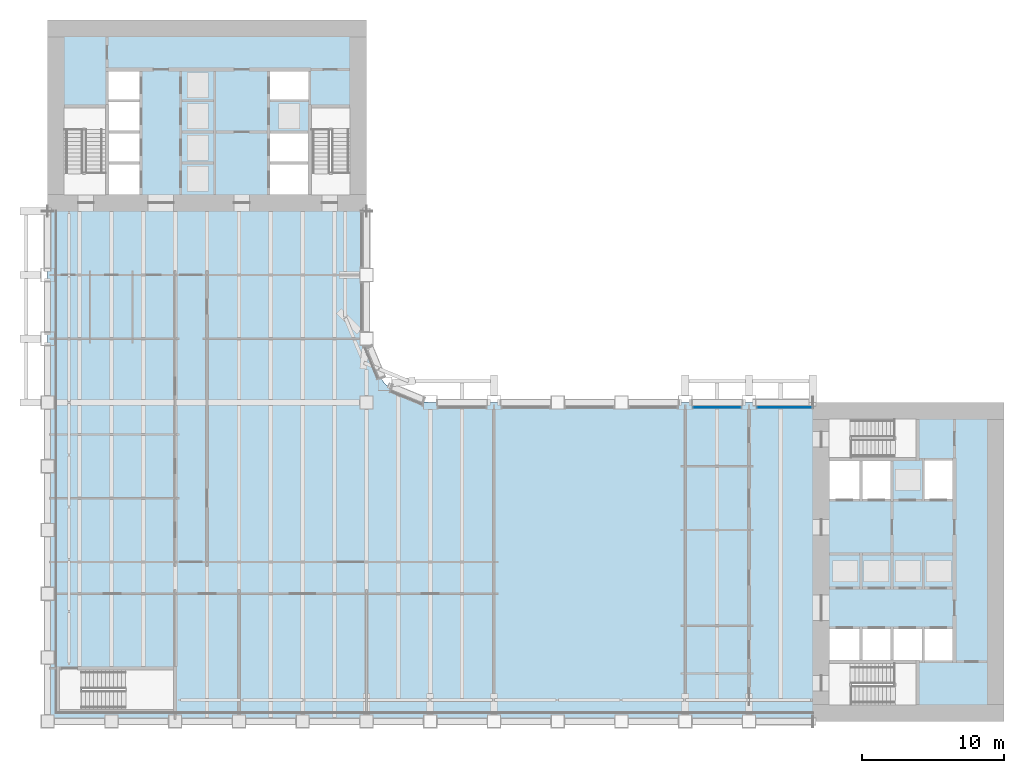
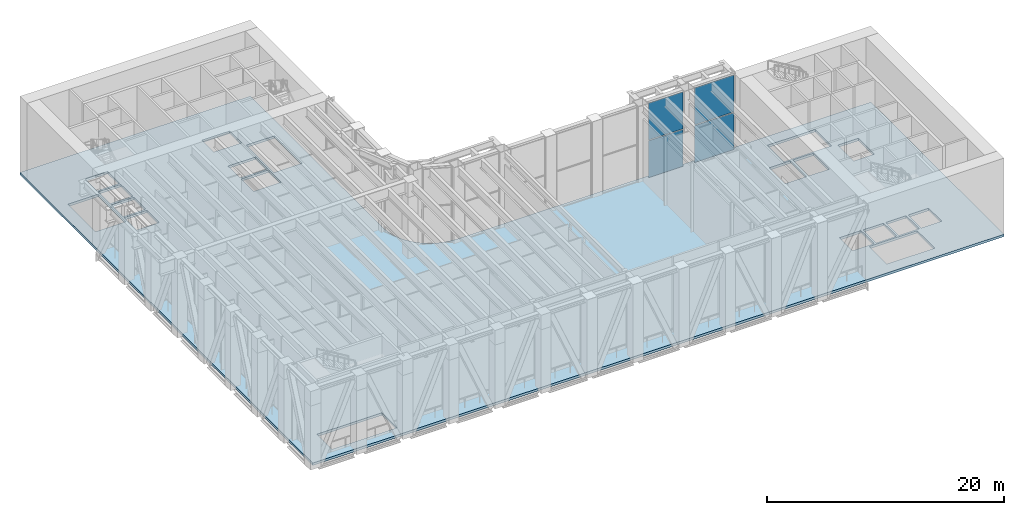
# One storey, part 6 of 21: 4 plates, 1 slab, 2 elements without a shape of their own.
"""IFC4 building model written with IfcOpenShell, lengths in metres."""

from ifc_helpers import new_model, si_unit, direction, frame, origin, origin_2d, place, context, subcontext, project, spatial, polyline, rectangle, outline, extrude, material, layer, layer_set, type_object, element, aggregate, save


model = new_model("IFC4")

# Units and contexts
model_context = context("Model", 3, precision=1e-05, world=origin(), true_north=direction((0.0, 1.0)))
body_context = subcontext(model_context, "Body", "Model", "MODEL_VIEW")
ifc_project = project(units=[si_unit("LENGTHUNIT", "METRE"), si_unit("AREAUNIT", "SQUARE_METRE"), si_unit("VOLUMEUNIT", "CUBIC_METRE"), si_unit("PLANEANGLEUNIT", "RADIAN"), si_unit("MASSUNIT", "GRAM", prefix="KILO")], contexts=[model_context])

# Site, building, storey
site_placement = place(None, origin())
site = spatial("IfcSite", under=ifc_project, at=site_placement, CompositionType="ELEMENT")
building_placement = place(site_placement, origin())
building = spatial("IfcBuilding", under=site, at=building_placement, Name="Sennacour Bend Tower", CompositionType="ELEMENT")
storey_placement = place(building_placement, frame((0.0, 0.0, 131.0)))
storey = spatial("IfcBuildingStorey", under=building, at=storey_placement, Name="L30", CompositionType="ELEMENT", Elevation=131.0)

# Slab
ifc_material_1 = material(Name="Concrete C30/37", Category="concrete")
ifc_layer_1 = layer(ifc_material_1, 0.25, Name="Concrete C30/37", Category="concrete")
ifc_layer_set_1 = layer_set([ifc_layer_1], Name="Concrete C30/37")
slab_type = type_object("IfcSlabType", Name="Floor slab 250", PredefinedType="FLOOR", material=ifc_layer_set_1)
slab_placement = place(storey_placement, frame((0.0, 0.0, -0.25)))
element("IfcSlab", 1, at=slab_placement, inside=storey, type_object=slab_type, Name="Floor slab L30-01", PredefinedType="FLOOR", context=body_context, shape_type="SweptSolid", body=[
    extrude(outline(polyline([(0.0, 36.0), (0.0, 49.5), (22.5, 49.5), (22.5, 36.0), (22.5, 27.0), (22.6533203125, 25.835205078125), (23.102783203125, 24.75), (23.818115234375, 23.818115234375), (24.75, 23.102783203125), (25.835205078125, 22.6533203125), (27.0, 22.5), (54.0, 22.5), (67.5, 22.5), (67.5, 0.0), (54.0, 0.0), (22.5, 0.0), (0.0, 0.0), (0.0, 22.5), (0.0, 36.0)]), holes=[polyline([(8.800048828125, 0.949951171875), (8.800048828125, 3.5), (2.429931640625, 3.5), (2.429931640625, 0.949951171875), (8.800048828125, 0.949951171875)]), polyline([(6.5, 37.199951171875), (6.5, 39.300048828125), (4.300048828125, 39.300048828125), (4.300048828125, 37.199951171875), (6.5, 37.199951171875)]), polyline([(18.39990234375, 37.199951171875), (18.39990234375, 39.300048828125), (15.699951171875, 39.300048828125), (15.699951171875, 37.199951171875), (18.39990234375, 37.199951171875)]), polyline([(6.5, 39.5), (6.5, 41.5), (4.300048828125, 41.5), (4.300048828125, 39.5), (6.5, 39.5)]), polyline([(18.39990234375, 39.5), (18.39990234375, 41.5), (15.699951171875, 41.5), (15.699951171875, 39.5), (18.39990234375, 39.5)]), polyline([(4.125, 38.72998046875), (4.125, 43.39990234375), (1.14990234375, 43.39990234375), (1.14990234375, 38.72998046875), (4.125, 38.72998046875)]), polyline([(21.35009765625, 38.72998046875), (21.35009765625, 43.39990234375), (18.574951171875, 43.39990234375), (18.574951171875, 38.72998046875), (21.35009765625, 38.72998046875)]), polyline([(4.300048828125, 41.699951171875), (6.5, 41.699951171875), (6.5, 43.699951171875), (4.300048828125, 43.699951171875), (4.300048828125, 41.699951171875)]), polyline([(4.300048828125, 43.89990234375), (6.5, 43.89990234375), (6.5, 45.89990234375), (4.300048828125, 45.89990234375), (4.300048828125, 43.89990234375)]), polyline([(18.39990234375, 43.89990234375), (18.39990234375, 45.89990234375), (15.699951171875, 45.89990234375), (15.699951171875, 43.89990234375), (18.39990234375, 43.89990234375)]), polyline([(61.39990234375, 1.14990234375), (61.39990234375, 4.125), (56.72998046875, 4.125), (56.72998046875, 1.14990234375), (61.39990234375, 1.14990234375)]), polyline([(57.300048828125, 4.300048828125), (57.300048828125, 6.5), (55.199951171875, 6.5), (55.199951171875, 4.300048828125), (57.300048828125, 4.300048828125)]), polyline([(57.5, 4.300048828125), (59.5, 4.300048828125), (59.5, 6.5), (57.5, 6.5), (57.5, 4.300048828125)]), polyline([(59.699951171875, 4.300048828125), (61.699951171875, 4.300048828125), (61.699951171875, 6.5), (59.699951171875, 6.5), (59.699951171875, 4.300048828125)]), polyline([(63.89990234375, 4.300048828125), (63.89990234375, 6.5), (61.89990234375, 6.5), (61.89990234375, 4.300048828125), (63.89990234375, 4.300048828125)]), polyline([(57.300048828125, 15.699951171875), (57.300048828125, 18.39990234375), (55.199951171875, 18.39990234375), (55.199951171875, 15.699951171875), (57.300048828125, 15.699951171875)]), polyline([(59.5, 15.699951171875), (59.5, 18.39990234375), (57.5, 18.39990234375), (57.5, 15.699951171875), (59.5, 15.699951171875)]), polyline([(61.89990234375, 15.699951171875), (63.89990234375, 15.699951171875), (63.89990234375, 18.39990234375), (61.89990234375, 18.39990234375), (61.89990234375, 15.699951171875)]), polyline([(56.72998046875, 18.574951171875), (61.39990234375, 18.574951171875), (61.39990234375, 21.35009765625), (56.72998046875, 21.35009765625), (56.72998046875, 18.574951171875)])]), origin(), (0.0, 0.0, 1.0), 0.25),
])

# Curtain wall, plates
ifc_material_2 = material(Name="Bronze anodised aluminium curtain wall with clear glass", Category="aluminium")
curtain_wall_type = type_object("IfcCurtainWallType", Name="CURTAIN WALL GARDEN", PredefinedType="NOTDEFINED", material=ifc_material_2)
curtain_wall_1_placement = place(storey_placement, origin())
curtain_wall_1 = element("IfcCurtainWall", 2, at=curtain_wall_1_placement, inside=storey, type_object=curtain_wall_type, Name="Sky garden glass wall L30", PredefinedType="NOTDEFINED")
ifc_material_3 = material(Name="Laminated clear low-emissivity glass", Category="glass")
ifc_layer_2 = layer(ifc_material_3, 0.035888671875, Name="Laminated clear low-emissivity glass", Category="glass")
ifc_layer_set_2 = layer_set([ifc_layer_2], Name="Laminated clear low-emissivity glass")
plate_type = type_object("IfcPlateType", Name="PNL-GLASS-LAM36", PredefinedType="CURTAIN_PANEL", material=ifc_layer_set_2)
plate_1_placement = place(storey_placement, frame((47.25, 22.156005859375, 0.080078125), z_axis=(0.0, 0.0, 1.0), x_axis=(1.0, 0.0, 0.0)))
plate_1 = element("IfcPlate", 3, at=plate_1_placement, type_object=plate_type, Name="GW6 curtain wall panel 1.1", PredefinedType="CURTAIN_PANEL", context=body_context, shape_type="SweptSolid", body=[
    extrude(rectangle(XDim=3.340087890625, YDim=0.035888671875, at=origin_2d()), origin(), (0.0, 0.0, 1.0), 3.804931640625),
])
plate_2_placement = place(storey_placement, frame((47.25, 22.156005859375, 3.96484375), z_axis=(0.0, 0.0, 1.0), x_axis=(1.0, 0.0, 0.0)))
plate_2 = element("IfcPlate", 4, at=plate_2_placement, type_object=plate_type, Name="GW6 curtain wall panel 1.2", PredefinedType="CURTAIN_PANEL", context=body_context, shape_type="SweptSolid", body=[
    extrude(rectangle(XDim=3.340087890625, YDim=0.035888671875, at=origin_2d()), origin(), (0.0, 0.0, 1.0), 3.804931640625),
])
aggregate(curtain_wall_1, [plate_1, plate_2])

curtain_wall_2_placement = place(storey_placement, origin())
curtain_wall_2 = element("IfcCurtainWall", 5, at=curtain_wall_2_placement, inside=storey, type_object=curtain_wall_type, Name="Sky garden glass wall L30", PredefinedType="NOTDEFINED")
plate_3_placement = place(storey_placement, frame((51.99951171875, 22.156005859375, 0.080078125), z_axis=(0.0, 0.0, 1.0), x_axis=(1.0, 0.0, 0.0)))
plate_3 = element("IfcPlate", 6, at=plate_3_placement, type_object=plate_type, Name="GW6 curtain wall panel 1.1", PredefinedType="CURTAIN_PANEL", context=body_context, shape_type="SweptSolid", body=[
    extrude(rectangle(XDim=3.839111328125, YDim=0.035888671875, at=origin_2d()), origin(), (0.0, 0.0, 1.0), 3.804931640625),
])
plate_4_placement = place(storey_placement, frame((51.99951171875, 22.156005859375, 3.96484375), z_axis=(0.0, 0.0, 1.0), x_axis=(1.0, 0.0, 0.0)))
plate_4 = element("IfcPlate", 7, at=plate_4_placement, type_object=plate_type, Name="GW6 curtain wall panel 1.2", PredefinedType="CURTAIN_PANEL", context=body_context, shape_type="SweptSolid", body=[
    extrude(rectangle(XDim=3.839111328125, YDim=0.035888671875, at=origin_2d()), origin(), (0.0, 0.0, 1.0), 3.804931640625),
])
aggregate(curtain_wall_2, [plate_3, plate_4])

save(model, "model.ifc")
